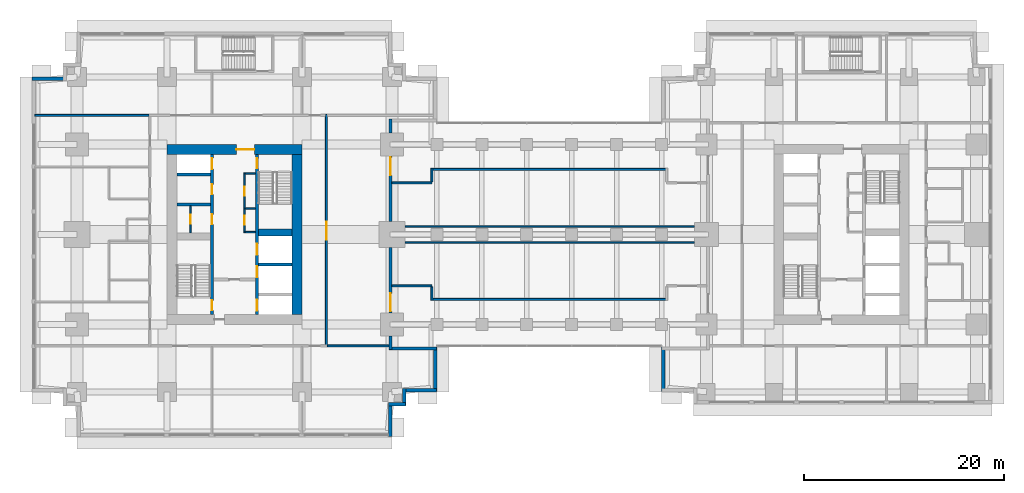
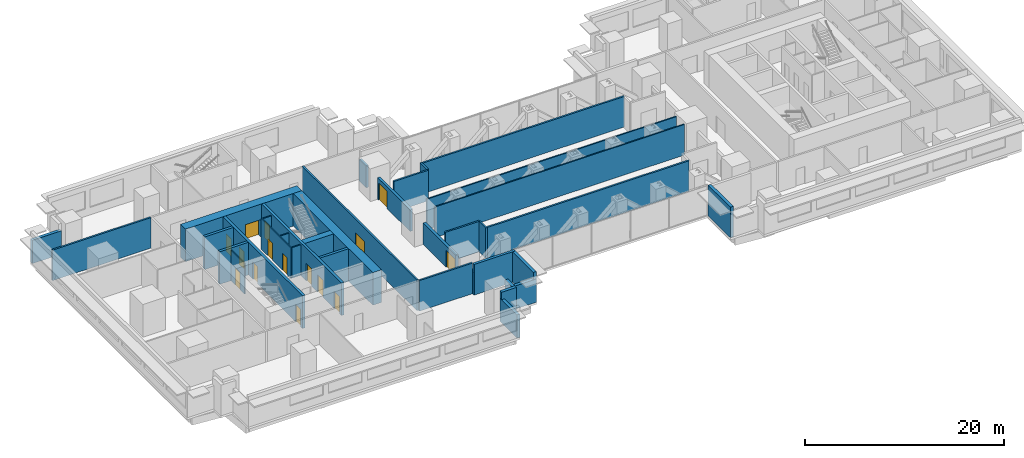
# One storey, part 8 of 16: 36 walls, 15 doors, 15 openings.
"""IFC4 building model written with IfcOpenShell, lengths in metres."""

from ifc_helpers import new_model, si_unit, direction, frame, frame_2d, origin, place, context, subcontext, project, spatial, rectangle, extrude, material, layer, layer_set, type_object, element, fill, save


model = new_model("IFC4")

# Units and contexts
model_context = context("Model", 3, precision=1e-05, world=origin(), true_north=direction((0.0, 1.0)))
body_context = subcontext(model_context, "Body", "Model", "MODEL_VIEW")
ifc_project = project(units=[si_unit("LENGTHUNIT", "METRE"), si_unit("AREAUNIT", "SQUARE_METRE"), si_unit("VOLUMEUNIT", "CUBIC_METRE"), si_unit("PLANEANGLEUNIT", "RADIAN"), si_unit("MASSUNIT", "GRAM", prefix="KILO")], contexts=[model_context])

# Site, building, storey
site_placement = place(None, origin())
site = spatial("IfcSite", under=ifc_project, at=site_placement, CompositionType="ELEMENT")
building_placement = place(site_placement, origin())
building = spatial("IfcBuilding", under=site, at=building_placement, Name="Namib Vertical Campus", CompositionType="ELEMENT")
storey_placement = place(building_placement, frame((0.0, 0.0, 125.0)))
storey = spatial("IfcBuildingStorey", under=building, at=storey_placement, Name="L29", CompositionType="ELEMENT", Elevation=125.0)

# Wall, openings, doors
ifc_material_1 = material(Name="Concrete C60/75", Category="concrete")
ifc_layer_1 = layer(ifc_material_1, 0.300048828125)
ifc_layer_set_1 = layer_set([ifc_layer_1], Name="Concrete C60/75")
wall_type_1 = type_object("IfcWallType", Name="Core inner wall 300", PredefinedType="SHEAR", material=ifc_layer_set_1)
wall_1_placement = place(storey_placement, frame((18.0, 12.25, 0.0), z_axis=(0.0, 0.0, 1.0), x_axis=(0.0, 1.0, 0.0)))
wall_1 = element("IfcWall", 1, at=wall_1_placement, inside=storey, type_object=wall_type_1, Name="Core inner wall A L29 W1", PredefinedType="SHEAR", context=body_context, shape_type="SweptSolid", body=[
    extrude(rectangle(XDim=16.0, YDim=0.300048828125, at=frame_2d((8.0, 0.0))), origin(), (0.0, 0.0, 1.0), 4.0),
])
opening_1_placement = place(wall_1_placement, frame((0.39990234375, 0.0, 0.0)))
opening_1 = element("IfcOpeningElement", 2, at=opening_1_placement, cuts=wall_1, Name="Opening FD1", PredefinedType="OPENING", context=body_context, shape_type="SweptSolid", body=[
    extrude(rectangle(XDim=1.0, YDim=2.10009765625, at=frame_2d((0.5, 1.050048828125))), frame((0.0, 0.159912109375, 0.0), z_axis=(0.0, -1.0, 0.0), x_axis=(1.0, 0.0, 0.0)), (0.0, 0.0, 1.0), 0.320068359375),
])
opening_2_placement = place(wall_1_placement, frame((14.52490234375, 0.0, 0.0)))
opening_2 = element("IfcOpeningElement", 3, at=opening_2_placement, cuts=wall_1, Name="Opening LD1", PredefinedType="OPENING", context=body_context, shape_type="SweptSolid", body=[
    extrude(rectangle(XDim=1.10009765625, YDim=2.10009765625, at=frame_2d((0.550048828125, 1.050048828125))), frame((0.0, 0.159912109375, 0.0), z_axis=(0.0, -1.0, 0.0), x_axis=(1.0, 0.0, 0.0)), (0.0, 0.0, 1.0), 0.320068359375),
])
opening_3_placement = place(wall_1_placement, frame((9.0, 0.0, 0.0)))
opening_3 = element("IfcOpeningElement", 4, at=opening_3_placement, cuts=wall_1, Name="Opening D1", PredefinedType="OPENING", context=body_context, shape_type="SweptSolid", body=[
    extrude(rectangle(XDim=1.0, YDim=2.10009765625, at=frame_2d((0.5, 1.050048828125))), frame((0.0, 0.159912109375, 0.0), z_axis=(0.0, -1.0, 0.0), x_axis=(1.0, 0.0, 0.0)), (0.0, 0.0, 1.0), 0.320068359375),
])
opening_4_placement = place(wall_1_placement, frame((12.0, 0.0, 0.0)))
opening_4 = element("IfcOpeningElement", 5, at=opening_4_placement, cuts=wall_1, Name="Opening D1", PredefinedType="OPENING", context=body_context, shape_type="SweptSolid", body=[
    extrude(rectangle(XDim=1.0, YDim=2.10009765625, at=frame_2d((0.5, 1.050048828125))), frame((0.0, 0.159912109375, 0.0), z_axis=(0.0, -1.0, 0.0), x_axis=(1.0, 0.0, 0.0)), (0.0, 0.0, 1.0), 0.320068359375),
])
ifc_material_2 = material(Name="Timber door leaf", Category="wood")
door_type_1 = type_object("IfcDoorType", Name="Door single 1000x2100", OperationType="SINGLE_SWING_LEFT", PredefinedType="DOOR", material=ifc_material_2)
door_1_placement = place(opening_3_placement, origin())
door_1 = element("IfcDoor", 6, at=door_1_placement, inside=storey, type_object=door_type_1, Name="Door D1 Store A L29 P1", OperationType="SINGLE_SWING_LEFT", OverallHeight=2.10009765625, OverallWidth=1.0, PredefinedType="DOOR", context=body_context, shape_type="SweptSolid", body=[
    extrude(rectangle(XDim=1.0, YDim=2.10009765625, at=frame_2d((0.5, 1.050048828125))), frame((0.0, 0.02490234375, 0.0), z_axis=(0.0, -1.0, 0.0), x_axis=(1.0, 0.0, 0.0)), (0.0, 0.0, 1.0), 0.050048828125),
])
fill(opening_3, door_1)
door_2_placement = place(opening_4_placement, origin())
door_2 = element("IfcDoor", 7, at=door_2_placement, inside=storey, type_object=door_type_1, Name="Door D1 Cleaners' store A L29 P2", OperationType="SINGLE_SWING_LEFT", OverallHeight=2.10009765625, OverallWidth=1.0, PredefinedType="DOOR", context=body_context, shape_type="SweptSolid", body=[
    extrude(rectangle(XDim=1.0, YDim=2.10009765625, at=frame_2d((0.5, 1.050048828125))), frame((0.0, 0.02490234375, 0.0), z_axis=(0.0, -1.0, 0.0), x_axis=(1.0, 0.0, 0.0)), (0.0, 0.0, 1.0), 0.050048828125),
])
fill(opening_4, door_2)
ifc_material_3 = material(Name="Steel fire door", Category="steel")
door_type_2 = type_object("IfcDoorType", Name="Fire door 1000x2100", OperationType="SINGLE_SWING_RIGHT", PredefinedType="DOOR", material=ifc_material_3)
door_3_placement = place(opening_1_placement, origin())
door_3 = element("IfcDoor", 8, at=door_3_placement, inside=storey, type_object=door_type_2, Name="Stair door FD1 A L29 S1", OperationType="SINGLE_SWING_LEFT", OverallHeight=2.10009765625, OverallWidth=1.0, PredefinedType="DOOR", context=body_context, shape_type="SweptSolid", body=[
    extrude(rectangle(XDim=1.0, YDim=2.10009765625, at=frame_2d((0.5, 1.050048828125))), frame((0.0, 0.02490234375, 0.0), z_axis=(0.0, -1.0, 0.0), x_axis=(1.0, 0.0, 0.0)), (0.0, 0.0, 1.0), 0.050048828125),
])
fill(opening_1, door_3)
ifc_material_4 = material(Name="Stainless steel lift door", Category="steel")
door_type_3 = type_object("IfcDoorType", Name="Lift landing door 1100x2100", OperationType="DOUBLE_DOOR_SLIDING", PredefinedType="DOOR", material=ifc_material_4)
door_4_placement = place(opening_2_placement, origin())
door_4 = element("IfcDoor", 9, at=door_4_placement, inside=storey, type_object=door_type_3, Name="Lift landing door LD1 A-P3 L29", OperationType="DOUBLE_DOOR_SLIDING", OverallHeight=2.10009765625, OverallWidth=1.10009765625, PredefinedType="DOOR", context=body_context, shape_type="SweptSolid", body=[
    extrude(rectangle(XDim=1.10009765625, YDim=2.10009765625, at=frame_2d((0.550048828125, 1.050048828125))), frame((0.0, 0.02490234375, 0.0), z_axis=(0.0, -1.0, 0.0), x_axis=(1.0, 0.0, 0.0)), (0.0, 0.0, 1.0), 0.050048828125),
])
fill(opening_2, door_4)

wall_2_placement = place(storey_placement, frame((22.5, 12.25, 0.0), z_axis=(0.0, 0.0, 1.0), x_axis=(0.0, 1.0, 0.0)))
wall_2 = element("IfcWall", 10, at=wall_2_placement, inside=storey, type_object=wall_type_1, Name="Core inner wall A L29 W2", PredefinedType="SHEAR", context=body_context, shape_type="SweptSolid", body=[
    extrude(rectangle(XDim=16.0, YDim=0.300048828125, at=frame_2d((8.0, 0.0))), origin(), (0.0, 0.0, 1.0), 4.0),
])
opening_5_placement = place(wall_2_placement, frame((14.60009765625, 0.0, 0.0)))
opening_5 = element("IfcOpeningElement", 11, at=opening_5_placement, cuts=wall_2, Name="Opening FD1", PredefinedType="OPENING", context=body_context, shape_type="SweptSolid", body=[
    extrude(rectangle(XDim=1.0, YDim=2.10009765625, at=frame_2d((0.5, 1.050048828125))), frame((0.0, 0.159912109375, 0.0), z_axis=(0.0, -1.0, 0.0), x_axis=(1.0, 0.0, 0.0)), (0.0, 0.0, 1.0), 0.320068359375),
])
opening_6_placement = place(wall_2_placement, frame((0.375, 0.0, 0.0)))
opening_6 = element("IfcOpeningElement", 12, at=opening_6_placement, cuts=wall_2, Name="Opening LD1", PredefinedType="OPENING", context=body_context, shape_type="SweptSolid", body=[
    extrude(rectangle(XDim=1.10009765625, YDim=2.10009765625, at=frame_2d((0.550048828125, 1.050048828125))), frame((0.0, 0.159912109375, 0.0), z_axis=(0.0, -1.0, 0.0), x_axis=(1.0, 0.0, 0.0)), (0.0, 0.0, 1.0), 0.320068359375),
])
opening_7_placement = place(wall_2_placement, frame((3.699951171875, 0.0, 0.0)))
opening_7 = element("IfcOpeningElement", 13, at=opening_7_placement, cuts=wall_2, Name="Opening LD1", PredefinedType="OPENING", context=body_context, shape_type="SweptSolid", body=[
    extrude(rectangle(XDim=1.10009765625, YDim=2.10009765625, at=frame_2d((0.550048828125, 1.050048828125))), frame((0.0, 0.159912109375, 0.0), z_axis=(0.0, -1.0, 0.0), x_axis=(1.0, 0.0, 0.0)), (0.0, 0.0, 1.0), 0.320068359375),
])
opening_8_placement = place(wall_2_placement, frame((5.949951171875, 0.0, 0.0)))
opening_8 = element("IfcOpeningElement", 14, at=opening_8_placement, cuts=wall_2, Name="Opening LD1", PredefinedType="OPENING", context=body_context, shape_type="SweptSolid", body=[
    extrude(rectangle(XDim=1.10009765625, YDim=2.10009765625, at=frame_2d((0.550048828125, 1.050048828125))), frame((0.0, 0.159912109375, 0.0), z_axis=(0.0, -1.0, 0.0), x_axis=(1.0, 0.0, 0.0)), (0.0, 0.0, 1.0), 0.320068359375),
])
door_5_placement = place(opening_5_placement, frame((1.0, 0.0, 0.0), z_axis=(0.0, 0.0, 1.0), x_axis=(-1.0, 0.0, 0.0)))
door_5 = element("IfcDoor", 15, at=door_5_placement, inside=storey, type_object=door_type_2, Name="Stair door FD1 A L29 S2", OperationType="SINGLE_SWING_LEFT", OverallHeight=2.10009765625, OverallWidth=1.0, PredefinedType="DOOR", context=body_context, shape_type="SweptSolid", body=[
    extrude(rectangle(XDim=1.0, YDim=2.10009765625, at=frame_2d((0.5, 1.050048828125))), frame((0.0, 0.02490234375, 0.0), z_axis=(0.0, -1.0, 0.0), x_axis=(1.0, 0.0, 0.0)), (0.0, 0.0, 1.0), 0.050048828125),
])
fill(opening_5, door_5)
door_6_placement = place(opening_6_placement, origin())
door_6 = element("IfcDoor", 16, at=door_6_placement, inside=storey, type_object=door_type_3, Name="Lift landing door LD1 A-FL1 L29", OperationType="DOUBLE_DOOR_SLIDING", OverallHeight=2.10009765625, OverallWidth=1.10009765625, PredefinedType="DOOR", context=body_context, shape_type="SweptSolid", body=[
    extrude(rectangle(XDim=1.10009765625, YDim=2.10009765625, at=frame_2d((0.550048828125, 1.050048828125))), frame((0.0, 0.02490234375, 0.0), z_axis=(0.0, -1.0, 0.0), x_axis=(1.0, 0.0, 0.0)), (0.0, 0.0, 1.0), 0.050048828125),
])
fill(opening_6, door_6)
door_7_placement = place(opening_7_placement, origin())
door_7 = element("IfcDoor", 17, at=door_7_placement, inside=storey, type_object=door_type_3, Name="Lift landing door LD1 A-P4 L29", OperationType="DOUBLE_DOOR_SLIDING", OverallHeight=2.10009765625, OverallWidth=1.10009765625, PredefinedType="DOOR", context=body_context, shape_type="SweptSolid", body=[
    extrude(rectangle(XDim=1.10009765625, YDim=2.10009765625, at=frame_2d((0.550048828125, 1.050048828125))), frame((0.0, 0.02490234375, 0.0), z_axis=(0.0, -1.0, 0.0), x_axis=(1.0, 0.0, 0.0)), (0.0, 0.0, 1.0), 0.050048828125),
])
fill(opening_7, door_7)
door_8_placement = place(opening_8_placement, origin())
door_8 = element("IfcDoor", 18, at=door_8_placement, inside=storey, type_object=door_type_3, Name="Lift landing door LD1 A-P5 L29", OperationType="DOUBLE_DOOR_SLIDING", OverallHeight=2.10009765625, OverallWidth=1.10009765625, PredefinedType="DOOR", context=body_context, shape_type="SweptSolid", body=[
    extrude(rectangle(XDim=1.10009765625, YDim=2.10009765625, at=frame_2d((0.550048828125, 1.050048828125))), frame((0.0, 0.02490234375, 0.0), z_axis=(0.0, -1.0, 0.0), x_axis=(1.0, 0.0, 0.0)), (0.0, 0.0, 1.0), 0.050048828125),
])
fill(opening_8, door_8)

# Walls
for number, where, z_axis, x_axis, name in (
    (19, (22.64990234375, 17.25, 0.0), (0.0, 0.0, 1.0), (1.0, 0.0, 0.0), "Core inner wall A L29 W6"),
    (20, (14.5, 23.25, 0.0), (0.0, 0.0, 1.0), (1.0, 0.0, 0.0), "Core inner wall A L29 W8"),
    (21, (14.5, 26.25, 0.0), (0.0, 0.0, 1.0), (1.0, 0.0, 0.0), "Core inner wall A L29 W9"),
):
    element("IfcWall", number, at=place(storey_placement, frame(where, z_axis=z_axis, x_axis=x_axis)), inside=storey, type_object=wall_type_1, Name=name, PredefinedType="SHEAR", context=body_context, shape_type="SweptSolid", body=[
        extrude(rectangle(XDim=3.35009765625, YDim=0.300048828125, at=frame_2d((1.675048828125, 0.0))), origin(), (0.0, 0.0, 1.0), 4.0),
    ])
ifc_material_5 = material(Name="Concrete C60/75", Category="concrete")
ifc_layer_2 = layer(ifc_material_5, 0.699951171875)
ifc_layer_set_2 = layer_set([ifc_layer_2], Name="Concrete C60/75")
wall_type_2 = type_object("IfcWallType", Name="Core shear wall 700", PredefinedType="SHEAR", material=ifc_layer_set_2)
wall_3_placement = place(storey_placement, frame((22.64990234375, 20.449951171875, 0.0), z_axis=(0.0, 0.0, 1.0), x_axis=(1.0, 0.0, 0.0)))
element("IfcWall", 22, at=wall_3_placement, inside=storey, type_object=wall_type_2, Name="Core shear wall A L29 W7", PredefinedType="SHEAR", context=body_context, shape_type="SweptSolid", body=[
    extrude(rectangle(XDim=3.35009765625, YDim=0.699951171875, at=frame_2d((1.675048828125, 0.0))), origin(), (0.0, 0.0, 1.0), 4.0),
])
ifc_material_6 = material(Name="Concrete C60/75", Category="concrete")
ifc_layer_3 = layer(ifc_material_6, 1.0)
ifc_layer_set_3 = layer_set([ifc_layer_3], Name="Concrete C60/75")
wall_type_3 = type_object("IfcWallType", Name="Core wall 1000", PredefinedType="SHEAR", material=ifc_layer_set_3)
wall_4_placement = place(storey_placement, frame((26.5, 12.25, 0.0), z_axis=(0.0, 0.0, 1.0), x_axis=(0.0, 1.0, 0.0)))
element("IfcWall", 23, at=wall_4_placement, inside=storey, type_object=wall_type_3, Name="Core wall A L29 2", PredefinedType="SHEAR", context=body_context, shape_type="SweptSolid", body=[
    extrude(rectangle(XDim=16.0, YDim=1.0, at=frame_2d((8.0, 0.0))), origin(), (0.0, 0.0, 1.0), 4.0),
])

# Wall, opening, door
wall_5_placement = place(storey_placement, frame((27.0, 28.75, 0.0), z_axis=(0.0, 0.0, 1.0), x_axis=(-1.0, 0.0, 0.0)))
wall_5 = element("IfcWall", 24, at=wall_5_placement, inside=storey, type_object=wall_type_3, Name="Core wall A L29 3", PredefinedType="SHEAR", context=body_context, shape_type="SweptSolid", body=[
    extrude(rectangle(XDim=13.5, YDim=1.0, at=frame_2d((6.75, 0.0))), origin(), (0.0, 0.0, 1.0), 4.0),
])
opening_9_placement = place(wall_5_placement, frame((4.75, 0.0, 0.0)))
opening_9 = element("IfcOpeningElement", 25, at=opening_9_placement, cuts=wall_5, Name="Opening FD2", PredefinedType="OPENING", context=body_context, shape_type="SweptSolid", body=[
    extrude(rectangle(XDim=1.800048828125, YDim=2.10009765625, at=frame_2d((0.89990234375, 1.050048828125))), frame((0.0, 0.510009765625, 0.0), z_axis=(0.0, -1.0, 0.0), x_axis=(1.0, 0.0, 0.0)), (0.0, 0.0, 1.0), 1.02001953125),
])
ifc_material_7 = material(Name="Steel fire door", Category="steel")
door_type_4 = type_object("IfcDoorType", Name="Fire door double 1800x2100", OperationType="DOUBLE_DOOR_SINGLE_SWING", PredefinedType="DOOR", material=ifc_material_7)
door_9_placement = place(opening_9_placement, origin())
door_9 = element("IfcDoor", 26, at=door_9_placement, inside=storey, type_object=door_type_4, Name="Lift lobby door FD2 A L29", OperationType="DOUBLE_DOOR_SINGLE_SWING", OverallHeight=2.10009765625, OverallWidth=1.800048828125, PredefinedType="DOOR", context=body_context, shape_type="SweptSolid", body=[
    extrude(rectangle(XDim=1.800048828125, YDim=2.10009765625, at=frame_2d((0.89990234375, 1.050048828125))), frame((0.0, 0.02490234375, 0.0), z_axis=(0.0, -1.0, 0.0), x_axis=(1.0, 0.0, 0.0)), (0.0, 0.0, 1.0), 0.050048828125),
])
fill(opening_9, door_9)

ifc_material_8 = material(Name="Concrete masonry", Category="masonry")
ifc_layer_4 = layer(ifc_material_8, 0.199951171875)
ifc_layer_set_4 = layer_set([ifc_layer_4], Name="Corridor wall 200")
wall_type_4 = type_object("IfcWallType", Name="Corridor wall 200", PredefinedType="SOLIDWALL", material=ifc_layer_set_4)
wall_6_placement = place(storey_placement, frame((29.449951171875, 9.199951171875, 0.0), z_axis=(0.0, 0.0, 1.0), x_axis=(0.0, 1.0, 0.0)))
wall_6 = element("IfcWall", 27, at=wall_6_placement, inside=storey, type_object=wall_type_4, Name="Corridor wall A L29 CE", PredefinedType="SOLIDWALL", context=body_context, shape_type="SweptSolid", body=[
    extrude(rectangle(XDim=23.050048828125, YDim=0.199951171875, at=frame_2d((11.52490234375, 0.0))), origin(), (0.0, 0.0, 1.0), 3.75),
])
opening_10_placement = place(wall_6_placement, frame((10.52490234375, 0.0, 0.0)))
opening_10 = element("IfcOpeningElement", 28, at=opening_10_placement, cuts=wall_6, Name="Opening FD2", PredefinedType="OPENING", context=body_context, shape_type="SweptSolid", body=[
    extrude(rectangle(XDim=1.800048828125, YDim=2.10009765625, at=frame_2d((0.89990234375, 1.050048828125))), frame((0.0, 0.10986328125, 0.0), z_axis=(0.0, -1.0, 0.0), x_axis=(1.0, 0.0, 0.0)), (0.0, 0.0, 1.0), 0.219970703125),
])
door_10_placement = place(opening_10_placement, origin())
door_10 = element("IfcDoor", 29, at=door_10_placement, inside=storey, type_object=door_type_4, Name="Door FD2 A29-04", OperationType="DOUBLE_DOOR_SINGLE_SWING", OverallHeight=2.10009765625, OverallWidth=1.800048828125, PredefinedType="DOOR", context=body_context, shape_type="SweptSolid", body=[
    extrude(rectangle(XDim=1.800048828125, YDim=2.10009765625, at=frame_2d((0.89990234375, 1.050048828125))), frame((0.0, 0.02490234375, 0.0), z_axis=(0.0, -1.0, 0.0), x_axis=(1.0, 0.0, 0.0)), (0.0, 0.0, 1.0), 0.050048828125),
])
fill(opening_10, door_10)

# Walls
wall_7_placement = place(storey_placement, frame((29.550048828125, 9.10009765625, 0.0), z_axis=(0.0, 0.0, 1.0), x_axis=(1.0, 0.0, 0.0)))
element("IfcWall", 30, at=wall_7_placement, inside=storey, type_object=wall_type_4, Name="Partition A L29 BSE", PredefinedType="SOLIDWALL", context=body_context, shape_type="SweptSolid", body=[
    extrude(rectangle(XDim=6.14990234375, YDim=0.199951171875, at=frame_2d((3.074951171875, 0.0))), origin(), (0.0, 0.0, 1.0), 3.75),
])
wall_8_placement = place(storey_placement, frame((0.300048828125, 32.14990234375, 0.0), z_axis=(0.0, 0.0, 1.0), x_axis=(1.0, 0.0, 0.0)))
element("IfcWall", 31, at=wall_8_placement, inside=storey, type_object=wall_type_4, Name="Partition A L29 BNW", PredefinedType="SOLIDWALL", context=body_context, shape_type="SweptSolid", body=[
    extrude(rectangle(XDim=11.39990234375, YDim=0.199951171875, at=frame_2d((5.699951171875, 0.0))), origin(), (0.0, 0.0, 1.0), 3.75),
])
wall_9_placement = place(storey_placement, frame((40.0, 13.75, 0.0), z_axis=(0.0, 0.0, 1.0), x_axis=(1.0, 0.0, 0.0)))
element("IfcWall", 32, at=wall_9_placement, inside=storey, type_object=wall_type_4, Name="Corridor wall L29", PredefinedType="SOLIDWALL", context=body_context, shape_type="SweptSolid", body=[
    extrude(rectangle(XDim=23.5, YDim=0.199951171875, at=frame_2d((11.75, 0.0))), origin(), (0.0, 0.0, 1.0), 3.75),
])
wall_10_placement = place(storey_placement, frame((36.0, 15.10009765625, 0.0), z_axis=(0.0, 0.0, 1.0), x_axis=(1.0, 0.0, 0.0)))
element("IfcWall", 33, at=wall_10_placement, inside=storey, type_object=wall_type_4, Name="Lobby wall L29 W", PredefinedType="SOLIDWALL", context=body_context, shape_type="SweptSolid", body=[
    extrude(rectangle(XDim=4.0, YDim=0.199951171875, at=frame_2d((2.0, 0.0))), origin(), (0.0, 0.0, 1.0), 3.75),
])
wall_11_placement = place(storey_placement, frame((40.0, 13.64990234375, 0.0), z_axis=(0.0, 0.0, 1.0), x_axis=(0.0, 1.0, 0.0)))
element("IfcWall", 34, at=wall_11_placement, inside=storey, type_object=wall_type_4, Name="Lobby side wall L29 W", PredefinedType="SOLIDWALL", context=body_context, shape_type="SweptSolid", body=[
    extrude(rectangle(XDim=1.35009765625, YDim=0.199951171875, at=frame_2d((0.675048828125, 0.0))), origin(), (0.0, 0.0, 1.0), 3.75),
])
wall_12_placement = place(storey_placement, frame((40.0, 26.75, 0.0), z_axis=(0.0, 0.0, 1.0), x_axis=(1.0, 0.0, 0.0)))
element("IfcWall", 35, at=wall_12_placement, inside=storey, type_object=wall_type_4, Name="North corridor wall L29", PredefinedType="SOLIDWALL", context=body_context, shape_type="SweptSolid", body=[
    extrude(rectangle(XDim=23.5, YDim=0.199951171875, at=frame_2d((11.75, 0.0))), origin(), (0.0, 0.0, 1.0), 3.75),
])
wall_13_placement = place(storey_placement, frame((36.0, 25.39990234375, 0.0), z_axis=(0.0, 0.0, 1.0), x_axis=(1.0, 0.0, 0.0)))
element("IfcWall", 36, at=wall_13_placement, inside=storey, type_object=wall_type_4, Name="Lobby wall L29 NW", PredefinedType="SOLIDWALL", context=body_context, shape_type="SweptSolid", body=[
    extrude(rectangle(XDim=4.0, YDim=0.199951171875, at=frame_2d((2.0, 0.0))), origin(), (0.0, 0.0, 1.0), 3.75),
])
wall_14_placement = place(storey_placement, frame((40.0, 26.85009765625, 0.0), z_axis=(0.0, 0.0, 1.0), x_axis=(0.0, -1.0, 0.0)))
element("IfcWall", 37, at=wall_14_placement, inside=storey, type_object=wall_type_4, Name="Lobby side wall L29 NW", PredefinedType="SOLIDWALL", context=body_context, shape_type="SweptSolid", body=[
    extrude(rectangle(XDim=1.35009765625, YDim=0.199951171875, at=frame_2d((0.675048828125, 0.0))), origin(), (0.0, 0.0, 1.0), 3.75),
])
ifc_material_9 = material(Name="Concrete C40/50", Category="concrete")
ifc_layer_5 = layer(ifc_material_9, 0.35009765625)
ifc_layer_set_5 = layer_set([ifc_layer_5], Name="Concrete C40/50")
wall_type_5 = type_object("IfcWallType", Name="External wall 350 bush-hammered concrete", PredefinedType="STANDARD", material=ifc_layer_set_5)
wall_15_placement = place(storey_placement, frame((35.824951171875, 0.02001953125, 0.0), z_axis=(0.0, 0.0, 1.0), x_axis=(0.0, 1.0, 0.0)))
element("IfcWall", 38, at=wall_15_placement, inside=storey, type_object=wall_type_5, Name="External wall L29 F03", PredefinedType="STANDARD", context=body_context, shape_type="SweptSolid", body=[
    extrude(rectangle(XDim=3.409912109375, YDim=0.35009765625, at=frame_2d((1.705078125, 0.0))), origin(), (0.0, 0.0, 1.0), 2.85009765625),
])
for number, where, z_axis, x_axis, name in (
    (39, (35.669921875, 3.27490234375, 0.0), (0.0, 0.0, 1.0), (1.0, 0.0, 0.0), "External wall L29 F04"),
    (40, (37.22509765625, 3.1201171875, 0.0), (0.0, 0.0, 1.0), (0.0, 1.0, 0.0), "External wall L29 F05"),
):
    element("IfcWall", number, at=place(storey_placement, frame(where, z_axis=z_axis, x_axis=x_axis)), inside=storey, type_object=wall_type_5, Name=name, PredefinedType="STANDARD", context=body_context, shape_type="SweptSolid", body=[
        extrude(rectangle(XDim=1.7099609375, YDim=0.35009765625, at=frame_2d((0.85498046875, 0.0))), origin(), (0.0, 0.0, 1.0), 3.75),
    ])
wall_16_placement = place(storey_placement, frame((37.070068359375, 4.675048828125, 0.0), z_axis=(0.0, 0.0, 1.0), x_axis=(1.0, 0.0, 0.0)))
element("IfcWall", 41, at=wall_16_placement, inside=storey, type_object=wall_type_5, Name="External wall L29 F06", PredefinedType="STANDARD", context=body_context, shape_type="SweptSolid", body=[
    extrude(rectangle(XDim=3.409912109375, YDim=0.35009765625, at=frame_2d((1.705078125, 0.0))), origin(), (0.0, 0.0, 1.0), 2.85009765625),
])
wall_17_placement = place(storey_placement, frame((40.324951171875, 4.52001953125, 0.0), z_axis=(0.0, 0.0, 1.0), x_axis=(0.0, 1.0, 0.0)))
element("IfcWall", 42, at=wall_17_placement, inside=storey, type_object=wall_type_5, Name="External wall L29 F07", PredefinedType="STANDARD", context=body_context, shape_type="SweptSolid", body=[
    extrude(rectangle(XDim=4.4599609375, YDim=0.35009765625, at=frame_2d((2.22998046875, 0.0))), origin(), (0.0, 0.0, 1.0), 3.75),
])
wall_18_placement = place(storey_placement, frame((3.429931640625, 35.824951171875, 0.0), z_axis=(0.0, 0.0, 1.0), x_axis=(-1.0, 0.0, 0.0)))
element("IfcWall", 43, at=wall_18_placement, inside=storey, type_object=wall_type_5, Name="External wall L29 F20", PredefinedType="STANDARD", context=body_context, shape_type="SweptSolid", body=[
    extrude(rectangle(XDim=3.409912109375, YDim=0.35009765625, at=frame_2d((1.705078125, 0.0))), origin(), (0.0, 0.0, 1.0), 2.85009765625),
])
wall_19_placement = place(storey_placement, frame((63.175048828125, 8.97998046875, 0.0), z_axis=(0.0, 0.0, 1.0), x_axis=(0.0, -1.0, 0.0)))
element("IfcWall", 44, at=wall_19_placement, inside=storey, type_object=wall_type_5, Name="External wall L29 F01", PredefinedType="STANDARD", context=body_context, shape_type="SweptSolid", body=[
    extrude(rectangle(XDim=4.4599609375, YDim=0.35009765625, at=frame_2d((2.22998046875, 0.0))), origin(), (0.0, 0.0, 1.0), 3.75),
])
ifc_material_10 = material(Name="Concrete masonry", Category="masonry")
ifc_layer_6 = layer(ifc_material_10, 0.300048828125)
ifc_layer_set_6 = layer_set([ifc_layer_6], Name="Fire wall 300")
wall_type_6 = type_object("IfcWallType", Name="Fire wall 300", PredefinedType="SOLIDWALL", material=ifc_layer_set_6)
wall_20_placement = place(storey_placement, frame((40.47998046875, 8.85009765625, 0.0), z_axis=(0.0, 0.0, 1.0), x_axis=(-1.0, 0.0, 0.0)))
element("IfcWall", 45, at=wall_20_placement, inside=storey, type_object=wall_type_6, Name="External wall L29 F08", PredefinedType="SOLIDWALL", context=body_context, shape_type="SweptSolid", body=[
    extrude(rectangle(XDim=4.760009765625, YDim=0.300048828125, at=frame_2d((2.3798828125, 0.0))), origin(), (0.0, 0.0, 1.0), 3.75),
])
wall_21_placement = place(storey_placement, frame((35.85009765625, 8.719970703125, 0.0), z_axis=(0.0, 0.0, 1.0), x_axis=(0.0, 1.0, 0.0)))
element("IfcWall", 46, at=wall_21_placement, inside=storey, type_object=wall_type_6, Name="External wall L29 F09", PredefinedType="SOLIDWALL", context=body_context, shape_type="SweptSolid", body=[
    extrude(rectangle(XDim=1.380126953125, YDim=0.300048828125, at=frame_2d((0.68994140625, 0.0))), origin(), (0.0, 0.0, 1.0), 2.64990234375),
])

# Wall, opening, door
wall_22_placement = place(storey_placement, frame((35.85009765625, 12.39990234375, 0.0), z_axis=(0.0, 0.0, 1.0), x_axis=(0.0, 1.0, 0.0)))
wall_22 = element("IfcWall", 47, at=wall_22_placement, inside=storey, type_object=wall_type_6, Name="External wall L29 F09", PredefinedType="SOLIDWALL", context=body_context, shape_type="SweptSolid", body=[
    extrude(rectangle(XDim=6.550048828125, YDim=0.300048828125, at=frame_2d((3.27490234375, 0.0))), origin(), (0.0, 0.0, 1.0), 2.64990234375),
])
opening_11_placement = place(wall_22_placement, frame((0.14990234375, 0.0, 0.0)))
opening_11 = element("IfcOpeningElement", 48, at=opening_11_placement, cuts=wall_22, Name="Opening FD4", PredefinedType="OPENING", context=body_context, shape_type="SweptSolid", body=[
    extrude(rectangle(XDim=1.800048828125, YDim=2.10009765625, at=frame_2d((0.89990234375, 1.050048828125))), frame((0.0, 0.159912109375, 0.0), z_axis=(0.0, -1.0, 0.0), x_axis=(1.0, 0.0, 0.0)), (0.0, 0.0, 1.0), 0.320068359375),
])
ifc_material_11 = material(Name="Steel fire door", Category="steel")
door_type_5 = type_object("IfcDoorType", Name="Fire door double 1800x2100 120 min", OperationType="DOUBLE_DOOR_SINGLE_SWING", PredefinedType="DOOR", material=ifc_material_11)
door_11_placement = place(opening_11_placement, origin())
door_11 = element("IfcDoor", 49, at=door_11_placement, inside=storey, type_object=door_type_5, Name="Bridge fire door FD4 A L29", OperationType="DOUBLE_DOOR_SINGLE_SWING", OverallHeight=2.10009765625, OverallWidth=1.800048828125, PredefinedType="DOOR", context=body_context, shape_type="SweptSolid", body=[
    extrude(rectangle(XDim=1.800048828125, YDim=2.10009765625, at=frame_2d((0.89990234375, 1.050048828125))), frame((0.0, 0.02490234375, 0.0), z_axis=(0.0, -1.0, 0.0), x_axis=(1.0, 0.0, 0.0)), (0.0, 0.0, 1.0), 0.050048828125),
])
fill(opening_11, door_11)

wall_23_placement = place(storey_placement, frame((35.85009765625, 21.550048828125, 0.0), z_axis=(0.0, 0.0, 1.0), x_axis=(0.0, 1.0, 0.0)))
wall_23 = element("IfcWall", 50, at=wall_23_placement, inside=storey, type_object=wall_type_6, Name="External wall L29 F09", PredefinedType="SOLIDWALL", context=body_context, shape_type="SweptSolid", body=[
    extrude(rectangle(XDim=6.550048828125, YDim=0.300048828125, at=frame_2d((3.27490234375, 0.0))), origin(), (0.0, 0.0, 1.0), 2.64990234375),
])
opening_12_placement = place(wall_23_placement, frame((4.60009765625, 0.0, 0.0)))
opening_12 = element("IfcOpeningElement", 51, at=opening_12_placement, cuts=wall_23, Name="Opening FD4", PredefinedType="OPENING", context=body_context, shape_type="SweptSolid", body=[
    extrude(rectangle(XDim=1.800048828125, YDim=2.10009765625, at=frame_2d((0.89990234375, 1.050048828125))), frame((0.0, 0.159912109375, 0.0), z_axis=(0.0, -1.0, 0.0), x_axis=(1.0, 0.0, 0.0)), (0.0, 0.0, 1.0), 0.320068359375),
])
door_12_placement = place(opening_12_placement, origin())
door_12 = element("IfcDoor", 52, at=door_12_placement, inside=storey, type_object=door_type_5, Name="Bridge fire door FD4 A L29 north", OperationType="DOUBLE_DOOR_SINGLE_SWING", OverallHeight=2.10009765625, OverallWidth=1.800048828125, PredefinedType="DOOR", context=body_context, shape_type="SweptSolid", body=[
    extrude(rectangle(XDim=1.800048828125, YDim=2.10009765625, at=frame_2d((0.89990234375, 1.050048828125))), frame((0.0, 0.02490234375, 0.0), z_axis=(0.0, -1.0, 0.0), x_axis=(1.0, 0.0, 0.0)), (0.0, 0.0, 1.0), 0.050048828125),
])
fill(opening_12, door_12)

# Wall
wall_24_placement = place(storey_placement, frame((35.85009765625, 30.39990234375, 0.0), z_axis=(0.0, 0.0, 1.0), x_axis=(0.0, 1.0, 0.0)))
element("IfcWall", 53, at=wall_24_placement, inside=storey, type_object=wall_type_6, Name="External wall L29 F09", PredefinedType="SOLIDWALL", context=body_context, shape_type="SweptSolid", body=[
    extrude(rectangle(XDim=1.380126953125, YDim=0.300048828125, at=frame_2d((0.68994140625, 0.0))), origin(), (0.0, 0.0, 1.0), 2.64990234375),
])

# Wall, openings, doors
ifc_material_12 = material(Name="Gypsum board on steel studs", Category="steel")
ifc_layer_7 = layer(ifc_material_12, 0.14990234375)
ifc_layer_set_7 = layer_set([ifc_layer_7], Name="Gypsum board on steel studs")
wall_type_7 = type_object("IfcWallType", Name="Partition 150", PredefinedType="PARTITIONING", material=ifc_layer_set_7)
wall_25_placement = place(storey_placement, frame((21.27490234375, 20.39990234375, 0.0), z_axis=(0.0, 0.0, 1.0), x_axis=(0.0, 1.0, 0.0)))
wall_25 = element("IfcWall", 54, at=wall_25_placement, inside=storey, type_object=wall_type_7, Name="Partition A L29 Cleaners' store and Tea point front", PredefinedType="PARTITIONING", context=body_context, shape_type="SweptSolid", body=[
    extrude(rectangle(XDim=6.0, YDim=0.14990234375, at=frame_2d((3.0, 0.0))), origin(), (0.0, 0.0, 1.0), 3.75),
])
opening_13_placement = place(wall_25_placement, frame((0.800048828125, 0.0, 0.0)))
opening_13 = element("IfcOpeningElement", 55, at=opening_13_placement, cuts=wall_25, Name="Opening D3", PredefinedType="OPENING", context=body_context, shape_type="SweptSolid", body=[
    extrude(rectangle(XDim=0.89990234375, YDim=2.10009765625, at=frame_2d((0.449951171875, 1.050048828125))), frame((0.0, 0.0849609375, 0.0), z_axis=(0.0, -1.0, 0.0), x_axis=(1.0, 0.0, 0.0)), (0.0, 0.0, 1.0), 0.169921875),
])
opening_14_placement = place(wall_25_placement, frame((3.72509765625, 0.0, 0.0)))
opening_14 = element("IfcOpeningElement", 56, at=opening_14_placement, cuts=wall_25, Name="Opening D3", PredefinedType="OPENING", context=body_context, shape_type="SweptSolid", body=[
    extrude(rectangle(XDim=0.89990234375, YDim=2.10009765625, at=frame_2d((0.449951171875, 1.050048828125))), frame((0.0, 0.0849609375, 0.0), z_axis=(0.0, -1.0, 0.0), x_axis=(1.0, 0.0, 0.0)), (0.0, 0.0, 1.0), 0.169921875),
])
ifc_material_13 = material(Name="Timber door leaf", Category="wood")
door_type_6 = type_object("IfcDoorType", Name="Toilet door 900x2100", OperationType="SINGLE_SWING_LEFT", PredefinedType="DOOR", material=ifc_material_13)
door_13_placement = place(opening_13_placement, frame((0.89990234375, 0.0, 0.0), z_axis=(0.0, 0.0, 1.0), x_axis=(-1.0, 0.0, 0.0)))
door_13 = element("IfcDoor", 57, at=door_13_placement, inside=storey, type_object=door_type_6, Name="Door D3 Cleaners' store A L29", OperationType="SINGLE_SWING_RIGHT", OverallHeight=2.10009765625, OverallWidth=0.89990234375, PredefinedType="DOOR", context=body_context, shape_type="SweptSolid", body=[
    extrude(rectangle(XDim=0.89990234375, YDim=2.10009765625, at=frame_2d((0.449951171875, 1.050048828125))), frame((0.0, 0.02490234375, 0.0), z_axis=(0.0, -1.0, 0.0), x_axis=(1.0, 0.0, 0.0)), (0.0, 0.0, 1.0), 0.050048828125),
])
fill(opening_13, door_13)
door_14_placement = place(opening_14_placement, frame((0.89990234375, 0.0, 0.0), z_axis=(0.0, 0.0, 1.0), x_axis=(-1.0, 0.0, 0.0)))
door_14 = element("IfcDoor", 58, at=door_14_placement, inside=storey, type_object=door_type_6, Name="Door D3 Tea point A L29", OperationType="SINGLE_SWING_RIGHT", OverallHeight=2.10009765625, OverallWidth=0.89990234375, PredefinedType="DOOR", context=body_context, shape_type="SweptSolid", body=[
    extrude(rectangle(XDim=0.89990234375, YDim=2.10009765625, at=frame_2d((0.449951171875, 1.050048828125))), frame((0.0, 0.02490234375, 0.0), z_axis=(0.0, -1.0, 0.0), x_axis=(1.0, 0.0, 0.0)), (0.0, 0.0, 1.0), 0.050048828125),
])
fill(opening_14, door_14)

# Walls
for number, where, z_axis, x_axis, name in (
    (59, (21.35009765625, 20.47509765625, 0.0), (0.0, 0.0, 1.0), (1.0, 0.0, 0.0), "Partition A L29 Cleaners' store and Tea point end 1"),
    (60, (21.35009765625, 22.824951171875, 0.0), (0.0, 0.0, 1.0), (1.0, 0.0, 0.0), "Partition A L29 Cleaners' store and Tea point division 2"),
    (61, (21.35009765625, 26.324951171875, 0.0), (0.0, 0.0, 1.0), (1.0, 0.0, 0.0), "Partition A L29 Cleaners' store and Tea point end 3"),
):
    element("IfcWall", number, at=place(storey_placement, frame(where, z_axis=z_axis, x_axis=x_axis)), inside=storey, type_object=wall_type_7, Name=name, PredefinedType="PARTITIONING", context=body_context, shape_type="SweptSolid", body=[
        extrude(rectangle(XDim=1.0, YDim=0.14990234375, at=frame_2d((0.5, 0.0))), origin(), (0.0, 0.0, 1.0), 3.75),
    ])

# Wall, opening, door
wall_26_placement = place(storey_placement, frame((15.875, 20.39990234375, 0.0), z_axis=(0.0, 0.0, 1.0), x_axis=(0.0, 1.0, 0.0)))
wall_26 = element("IfcWall", 62, at=wall_26_placement, inside=storey, type_object=wall_type_7, Name="Partition A L29 Store P1 back", PredefinedType="PARTITIONING", context=body_context, shape_type="SweptSolid", body=[
    extrude(rectangle(XDim=2.7001953125, YDim=0.14990234375, at=frame_2d((1.35009765625, 0.0))), origin(), (0.0, 0.0, 1.0), 3.75),
])
opening_15_placement = place(wall_26_placement, frame((0.89990234375, 0.0, 0.0)))
opening_15 = element("IfcOpeningElement", 63, at=opening_15_placement, cuts=wall_26, Name="Opening D3", PredefinedType="OPENING", context=body_context, shape_type="SweptSolid", body=[
    extrude(rectangle(XDim=0.89990234375, YDim=2.10009765625, at=frame_2d((0.449951171875, 1.050048828125))), frame((0.0, 0.0849609375, 0.0), z_axis=(0.0, -1.0, 0.0), x_axis=(1.0, 0.0, 0.0)), (0.0, 0.0, 1.0), 0.169921875),
])
door_15_placement = place(opening_15_placement, origin())
door_15 = element("IfcDoor", 64, at=door_15_placement, inside=storey, type_object=door_type_6, Name="Door D3 Store A L29 P1", OperationType="SINGLE_SWING_LEFT", OverallHeight=2.10009765625, OverallWidth=0.89990234375, PredefinedType="DOOR", context=body_context, shape_type="SweptSolid", body=[
    extrude(rectangle(XDim=0.89990234375, YDim=2.10009765625, at=frame_2d((0.449951171875, 1.050048828125))), frame((0.0, 0.02490234375, 0.0), z_axis=(0.0, -1.0, 0.0), x_axis=(1.0, 0.0, 0.0)), (0.0, 0.0, 1.0), 0.050048828125),
])
fill(opening_15, door_15)

# Walls
for number, where, z_axis, x_axis, name in (
    (65, (37.320068359375, 19.449951171875, 0.0), (0.0, 0.0, 1.0), (1.0, 0.0, 0.0), "Spine wall L29 S"),
    (66, (37.320068359375, 21.050048828125, 0.0), (0.0, 0.0, 1.0), (1.0, 0.0, 0.0), "Spine wall L29 N"),
):
    element("IfcWall", number, at=place(storey_placement, frame(where, z_axis=z_axis, x_axis=x_axis)), inside=storey, type_object=wall_type_7, Name=name, PredefinedType="PARTITIONING", context=body_context, shape_type="SweptSolid", body=[
        extrude(rectangle(XDim=28.9599609375, YDim=0.14990234375, at=frame_2d((14.47998046875, 0.0))), origin(), (0.0, 0.0, 1.0), 3.75),
    ])

save(model, "model.ifc")
